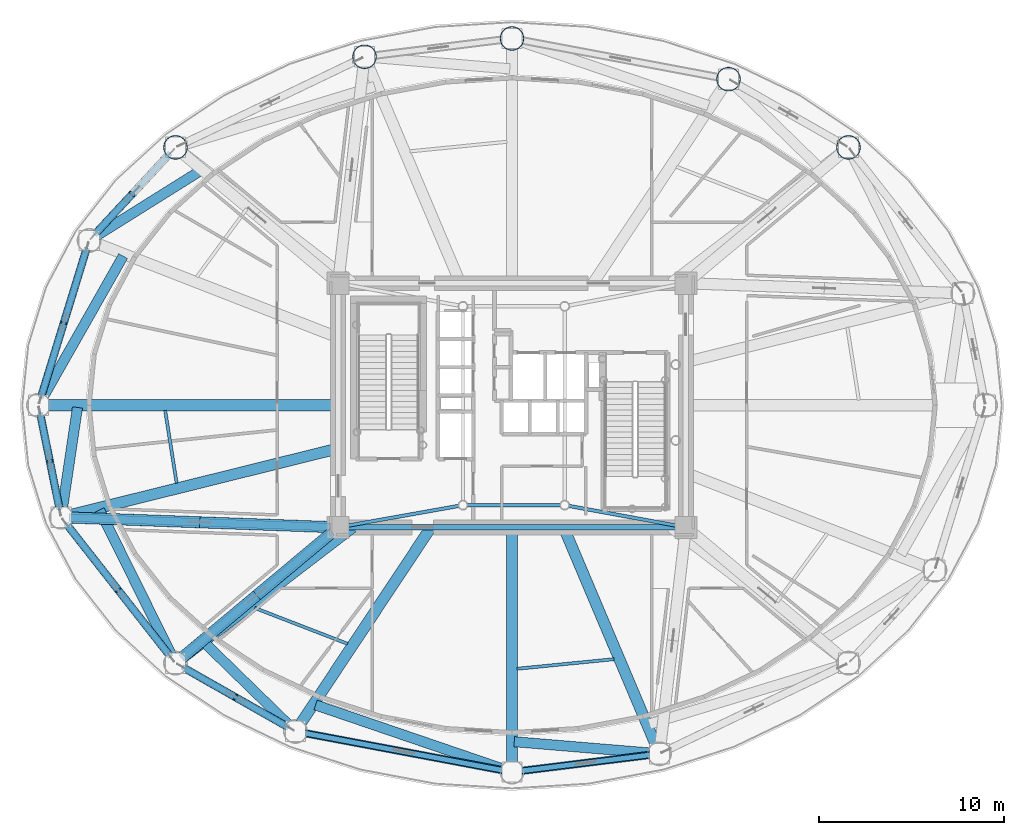
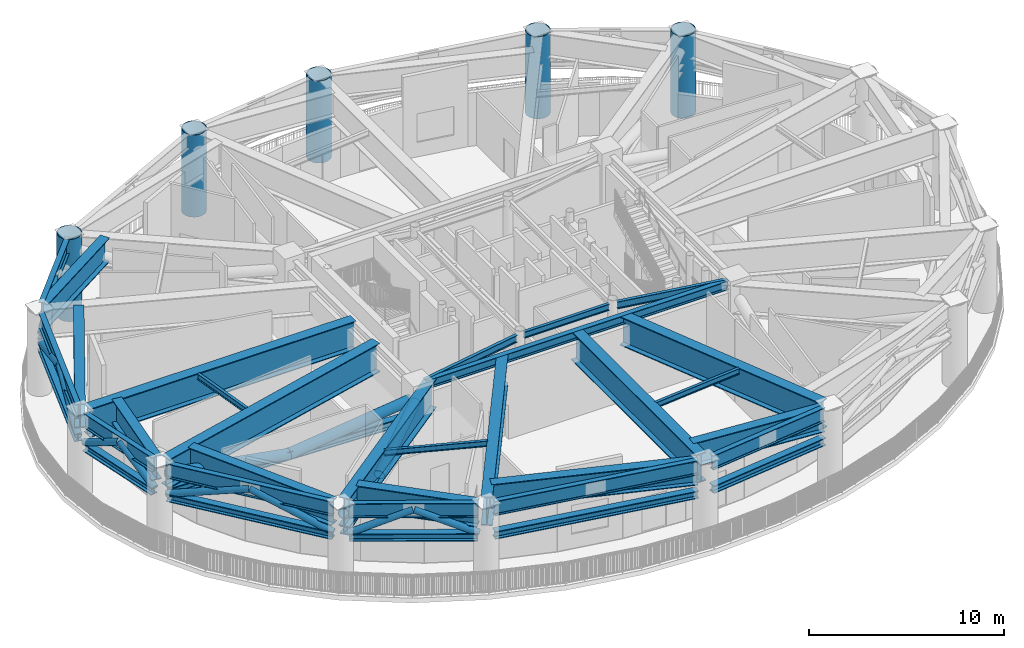
# One storey, part 3 of 20: 36 beams, 13 members, 5 columns.
"""IFC4 building model written with IfcOpenShell, lengths in metres."""

from ifc_helpers import new_model, si_unit, direction, frame, origin, origin_2d, place, context, subcontext, project, spatial, hollow_circle, i_section, extrude, material, material_profile, profile_set, type_object, element, save


model = new_model("IFC4")

# Units and contexts
model_context = context("Model", 3, precision=1e-05, world=origin(), true_north=direction((0.0, 1.0)))
body_context = subcontext(model_context, "Body", "Model", "MODEL_VIEW")
ifc_project = project(units=[si_unit("LENGTHUNIT", "METRE"), si_unit("AREAUNIT", "SQUARE_METRE"), si_unit("VOLUMEUNIT", "CUBIC_METRE"), si_unit("PLANEANGLEUNIT", "RADIAN"), si_unit("MASSUNIT", "GRAM", prefix="KILO")], contexts=[model_context])

# Site, building, storey
site_placement = place(None, origin())
site = spatial("IfcSite", under=ifc_project, at=site_placement, CompositionType="ELEMENT")
building_placement = place(site_placement, origin())
building = spatial("IfcBuilding", under=site, at=building_placement, Name="Linh Dai School and Residence Tower", CompositionType="ELEMENT")
storey_placement = place(building_placement, frame((0.0, 0.0, 204.89990234375)))
storey = spatial("IfcBuildingStorey", under=building, at=storey_placement, Name="L50", CompositionType="ELEMENT", Elevation=204.89990234375)

# Columns
ifc_material = material(Name="Structural Steel S355JR", Category="steel")
ifc_material_profile_1 = material_profile(ifc_material, hollow_circle(Radius=0.64990234375, WallThickness=0.0400390625, at=origin_2d()), Name="CHS 1300x40")
ifc_profile_set_1 = profile_set([ifc_material_profile_1], Name="Structural Steel S355JR")
column_type = type_object("IfcColumnType", Name="COL-MC4", PredefinedType="COLUMN", material=ifc_profile_set_1)
for number, where, z_axis, x_axis, name in (
    (1, (54.1923828125, 40.941650390625, 0.0), (0.0, 0.0, 1.0), (1.0, 0.0, 0.0), "L50 Perimeter CFT Mega-Column MC03"),
    (2, (47.70556640625, 44.630859375, 0.0), (0.0, 0.0, 1.0), (1.0, 0.0, 0.0), "L50 Perimeter CFT Mega-Column MC04"),
    (3, (36.0, 46.830078125, 0.0), (0.0, 0.0, 1.0), (1.0, 0.0, 0.0), "L50 Perimeter CFT Mega-Column MC05"),
    (4, (28.026611328125, 45.84130859375, 0.0), (0.0, 0.0, 1.0), (1.0, 0.0, 0.0), "L50 Perimeter CFT Mega-Column MC06"),
    (5, (17.8076171875, 40.941650390625, 0.0), (0.0, 0.0, 1.0), (1.0, 0.0, 0.0), "L50 Perimeter CFT Mega-Column MC07"),
):
    element("IfcColumn", number, at=place(storey_placement, frame(where, z_axis=z_axis, x_axis=x_axis)), inside=storey, type_object=column_type, Name=name, PredefinedType="COLUMN", context=body_context, shape_type="SweptSolid", body=[
        extrude(hollow_circle(Radius=0.64990234375, WallThickness=0.0400390625, at=origin_2d()), origin(), (0.0, 0.0, 1.0), 5.150146484375),
    ])

# Beams
ifc_material_profile_2 = material_profile(ifc_material, i_section(OverallWidth=0.41796875, OverallDepth=0.506103515625, WebThickness=0.038818359375, FlangeThickness=0.05810546875, FilletRadius=0.014892578125, at=origin_2d()), Name="HD 400x551")
ifc_profile_set_2 = profile_set([ifc_material_profile_2], Name="Structural Steel S355JR")
beam_type_1 = type_object("IfcBeamType", Name="BM-BC1", PredefinedType="BEAM", material=ifc_profile_set_2)
beam_1_placement = place(storey_placement, frame((26.18017578125, 20.415283203125, 3.10009765625), z_axis=(-0.999334691153, 0.036471565062, 0.0), x_axis=(-0.036471565062, -0.999334691153, 0.0)))
element("IfcBeam", 6, at=beam_1_placement, inside=storey, type_object=beam_type_1, Name="L50 Outrigger Truss OT2 Bottom Chord 05", PredefinedType="BEAM", context=body_context, shape_type="SweptSolid", body=[
    extrude(i_section(OverallWidth=0.41796875, OverallDepth=0.506103515625, WebThickness=0.038818359375, FlangeThickness=0.05810546875, FilletRadius=0.014892578125, at=origin_2d()), origin(), (0.0, 0.0, 1.0), 14.14453125),
])
beam_2_placement = place(storey_placement, frame((26.277587890625, 20.130859375, 3.10009765625), z_axis=(-0.767585567981, -0.640946484371, 0.0), x_axis=(0.640946484371, -0.767585567981, 0.0)))
element("IfcBeam", 7, at=beam_2_placement, inside=storey, type_object=beam_type_1, Name="L50 Outrigger Truss OT2 Bottom Chord 06", PredefinedType="BEAM", context=body_context, shape_type="SweptSolid", body=[
    extrude(i_section(OverallWidth=0.41796875, OverallDepth=0.506103515625, WebThickness=0.038818359375, FlangeThickness=0.05810546875, FilletRadius=0.014892578125, at=origin_2d()), origin(), (0.0, 0.0, 1.0), 10.61474609375),
])
ifc_material_profile_3 = material_profile(ifc_material, i_section(OverallWidth=0.408935546875, OverallDepth=0.47509765625, WebThickness=0.02978515625, FlangeThickness=0.048095703125, FilletRadius=0.014892578125, at=origin_2d()), Name="HD 400x421")
ifc_profile_set_3 = profile_set([ifc_material_profile_3], Name="Structural Steel S355JR")
beam_type_2 = type_object("IfcBeamType", Name="BM-BC2", PredefinedType="BEAM", material=ifc_profile_set_3)
beam_3_placement = place(storey_placement, frame((17.521728515625, 40.6337890625, 3.050048828125), z_axis=(-0.680378035197, -0.732861330145, 0.0), x_axis=(0.732861330145, -0.680378035197, 0.0)))
element("IfcBeam", 8, at=beam_3_placement, inside=storey, type_object=beam_type_2, Name="L50 Ring Belt Truss BT3 Bottom Chord 07", PredefinedType="BEAM", context=body_context, shape_type="SweptSolid", body=[
    extrude(i_section(OverallWidth=0.408935546875, OverallDepth=0.47509765625, WebThickness=0.02978515625, FlangeThickness=0.048095703125, FilletRadius=0.014892578125, at=origin_2d()), origin(), (0.0, 0.0, 1.0), 6.024169921875),
])
beam_4_placement = place(storey_placement, frame((13.01416015625, 35.509765625, 3.050048828125), z_axis=(-0.29363681283, -0.955917058196, 0.0), x_axis=(0.955917058196, -0.29363681283, 0.0)))
element("IfcBeam", 9, at=beam_4_placement, inside=storey, type_object=beam_type_2, Name="L50 Ring Belt Truss BT3 Bottom Chord 08", PredefinedType="BEAM", context=body_context, shape_type="SweptSolid", body=[
    extrude(i_section(OverallWidth=0.408935546875, OverallDepth=0.47509765625, WebThickness=0.02978515625, FlangeThickness=0.048095703125, FilletRadius=0.014892578125, at=origin_2d()), origin(), (0.0, 0.0, 1.0), 8.482421875),
])
beam_5_placement = place(storey_placement, frame((10.4833984375, 26.58837890625, 3.050048828125), z_axis=(0.198420723955, -0.980116940117, 0.0), x_axis=(0.980116940117, 0.198420723955, 0.0)))
element("IfcBeam", 10, at=beam_5_placement, inside=storey, type_object=beam_type_2, Name="L50 Ring Belt Truss BT3 Bottom Chord 09", PredefinedType="BEAM", context=body_context, shape_type="SweptSolid", body=[
    extrude(i_section(OverallWidth=0.408935546875, OverallDepth=0.47509765625, WebThickness=0.02978515625, FlangeThickness=0.048095703125, FilletRadius=0.014892578125, at=origin_2d()), origin(), (0.0, 0.0, 1.0), 5.33642578125),
])
beam_6_placement = place(storey_placement, frame((11.884521484375, 20.61572265625, 3.050048828125), z_axis=(0.616852281883, -0.787078942887, 0.0), x_axis=(0.787078942887, 0.616852281883, 0.0)))
element("IfcBeam", 11, at=beam_6_placement, inside=storey, type_object=beam_type_2, Name="L50 Ring Belt Truss BT3 Bottom Chord 10", PredefinedType="BEAM", context=body_context, shape_type="SweptSolid", body=[
    extrude(i_section(OverallWidth=0.408935546875, OverallDepth=0.47509765625, WebThickness=0.02978515625, FlangeThickness=0.048095703125, FilletRadius=0.014892578125, at=origin_2d()), origin(), (0.0, 0.0, 1.0), 9.181884765625),
])
beam_7_placement = place(storey_placement, frame((18.172607421875, 12.8505859375, 3.050048828125), z_axis=(0.869262164011, -0.49435138335, 0.0), x_axis=(0.49435138335, 0.869262164011, 0.0)))
element("IfcBeam", 12, at=beam_7_placement, inside=storey, type_object=beam_type_2, Name="L50 Ring Belt Truss BT3 Bottom Chord 11", PredefinedType="BEAM", context=body_context, shape_type="SweptSolid", body=[
    extrude(i_section(OverallWidth=0.408935546875, OverallDepth=0.47509765625, WebThickness=0.02978515625, FlangeThickness=0.048095703125, FilletRadius=0.014892578125, at=origin_2d()), origin(), (0.0, 0.0, 1.0), 6.62255859375),
])
beam_8_placement = place(storey_placement, frame((24.707275390625, 9.29150390625, 3.050048828125), z_axis=(0.98280721278, -0.184634727255, 0.0), x_axis=(0.184634727255, 0.98280721278, 0.0)))
element("IfcBeam", 13, at=beam_8_placement, inside=storey, type_object=beam_type_2, Name="L50 Ring Belt Truss BT3 Bottom Chord 12", PredefinedType="BEAM", context=body_context, shape_type="SweptSolid", body=[
    extrude(i_section(OverallWidth=0.408935546875, OverallDepth=0.47509765625, WebThickness=0.02978515625, FlangeThickness=0.048095703125, FilletRadius=0.014892578125, at=origin_2d()), origin(), (0.0, 0.0, 1.0), 11.0703125),
])
beam_9_placement = place(storey_placement, frame((36.416748046875, 7.2216796875, 3.050048828125), z_axis=(0.992400597975, 0.123048986741, 0.0), x_axis=(-0.123048986741, 0.992400597975, 0.0)))
element("IfcBeam", 14, at=beam_9_placement, inside=storey, type_object=beam_type_2, Name="L50 Ring Belt Truss BT3 Bottom Chord 13", PredefinedType="BEAM", context=body_context, shape_type="SweptSolid", body=[
    extrude(i_section(OverallWidth=0.408935546875, OverallDepth=0.47509765625, WebThickness=0.02978515625, FlangeThickness=0.048095703125, FilletRadius=0.014892578125, at=origin_2d()), origin(), (0.0, 0.0, 1.0), 7.1943359375),
])
ifc_material_profile_4 = material_profile(ifc_material, i_section(OverallWidth=0.300048828125, OverallDepth=0.550048828125, WebThickness=0.014892578125, FlangeThickness=0.029052734375, FilletRadius=0.027099609375, at=origin_2d()), Name="HEB 550")
ifc_profile_set_4 = profile_set([ifc_material_profile_4], Name="Structural Steel S355JR")
beam_type_3 = type_object("IfcBeamType", Name="BM-RG55", PredefinedType="BEAM", material=ifc_profile_set_4)
beam_10_placement = place(storey_placement, frame((27.02001953125, 20.39990234375, 4.875), z_axis=(1.0, 0.0, 0.0), x_axis=(0.0, 1.0, 0.0)))
element("IfcBeam", 15, at=beam_10_placement, inside=storey, type_object=beam_type_3, Name="L50 Core Perimeter Coupling Girder 1", PredefinedType="BEAM", context=body_context, shape_type="SweptSolid", body=[
    extrude(i_section(OverallWidth=0.300048828125, OverallDepth=0.550048828125, WebThickness=0.014892578125, FlangeThickness=0.029052734375, FilletRadius=0.027099609375, at=origin_2d()), origin(), (0.0, 0.0, 1.0), 17.9599609375),
])
ifc_material_profile_5 = material_profile(ifc_material, i_section(OverallWidth=0.300048828125, OverallDepth=0.89990234375, WebThickness=0.0185546875, FlangeThickness=0.034912109375, FilletRadius=0.030029296875, at=origin_2d()), Name="HEB 900")
ifc_profile_set_5 = profile_set([ifc_material_profile_5], Name="Structural Steel S355JR")
beam_type_4 = type_object("IfcBeamType", Name="BM-RG9", PredefinedType="BEAM", material=ifc_profile_set_5)
beam_11_placement = place(storey_placement, frame((17.521728515625, 40.6337890625, 4.7001953125), z_axis=(-0.680378035197, -0.732861330145, 0.0), x_axis=(0.732861330145, -0.680378035197, 0.0)))
element("IfcBeam", 16, at=beam_11_placement, inside=storey, type_object=beam_type_4, Name="L50 Perimeter Elliptical Ring Beam 07", PredefinedType="BEAM", context=body_context, shape_type="SweptSolid", body=[
    extrude(i_section(OverallWidth=0.300048828125, OverallDepth=0.89990234375, WebThickness=0.0185546875, FlangeThickness=0.034912109375, FilletRadius=0.030029296875, at=origin_2d()), origin(), (0.0, 0.0, 1.0), 6.024169921875),
])
beam_12_placement = place(storey_placement, frame((13.01416015625, 35.509765625, 4.7001953125), z_axis=(-0.29363681283, -0.955917058196, 0.0), x_axis=(0.955917058196, -0.29363681283, 0.0)))
element("IfcBeam", 17, at=beam_12_placement, inside=storey, type_object=beam_type_4, Name="L50 Perimeter Elliptical Ring Beam 08", PredefinedType="BEAM", context=body_context, shape_type="SweptSolid", body=[
    extrude(i_section(OverallWidth=0.300048828125, OverallDepth=0.89990234375, WebThickness=0.0185546875, FlangeThickness=0.034912109375, FilletRadius=0.030029296875, at=origin_2d()), origin(), (0.0, 0.0, 1.0), 8.482421875),
])
beam_13_placement = place(storey_placement, frame((10.4833984375, 26.58837890625, 4.7001953125), z_axis=(0.198420723955, -0.980116940117, 0.0), x_axis=(0.980116940117, 0.198420723955, 0.0)))
element("IfcBeam", 18, at=beam_13_placement, inside=storey, type_object=beam_type_4, Name="L50 Perimeter Elliptical Ring Beam 09", PredefinedType="BEAM", context=body_context, shape_type="SweptSolid", body=[
    extrude(i_section(OverallWidth=0.300048828125, OverallDepth=0.89990234375, WebThickness=0.0185546875, FlangeThickness=0.034912109375, FilletRadius=0.030029296875, at=origin_2d()), origin(), (0.0, 0.0, 1.0), 5.33642578125),
])
beam_14_placement = place(storey_placement, frame((11.884521484375, 20.61572265625, 4.7001953125), z_axis=(0.616852281883, -0.787078942887, 0.0), x_axis=(0.787078942887, 0.616852281883, 0.0)))
element("IfcBeam", 19, at=beam_14_placement, inside=storey, type_object=beam_type_4, Name="L50 Perimeter Elliptical Ring Beam 10", PredefinedType="BEAM", context=body_context, shape_type="SweptSolid", body=[
    extrude(i_section(OverallWidth=0.300048828125, OverallDepth=0.89990234375, WebThickness=0.0185546875, FlangeThickness=0.034912109375, FilletRadius=0.030029296875, at=origin_2d()), origin(), (0.0, 0.0, 1.0), 9.181884765625),
])
beam_15_placement = place(storey_placement, frame((18.172607421875, 12.8505859375, 4.7001953125), z_axis=(0.869262164011, -0.49435138335, 0.0), x_axis=(0.49435138335, 0.869262164011, 0.0)))
element("IfcBeam", 20, at=beam_15_placement, inside=storey, type_object=beam_type_4, Name="L50 Perimeter Elliptical Ring Beam 11", PredefinedType="BEAM", context=body_context, shape_type="SweptSolid", body=[
    extrude(i_section(OverallWidth=0.300048828125, OverallDepth=0.89990234375, WebThickness=0.0185546875, FlangeThickness=0.034912109375, FilletRadius=0.030029296875, at=origin_2d()), origin(), (0.0, 0.0, 1.0), 6.62255859375),
])
beam_16_placement = place(storey_placement, frame((24.707275390625, 9.29150390625, 4.7001953125), z_axis=(0.98280721278, -0.184634727255, 0.0), x_axis=(0.184634727255, 0.98280721278, 0.0)))
element("IfcBeam", 21, at=beam_16_placement, inside=storey, type_object=beam_type_4, Name="L50 Perimeter Elliptical Ring Beam 12", PredefinedType="BEAM", context=body_context, shape_type="SweptSolid", body=[
    extrude(i_section(OverallWidth=0.300048828125, OverallDepth=0.89990234375, WebThickness=0.0185546875, FlangeThickness=0.034912109375, FilletRadius=0.030029296875, at=origin_2d()), origin(), (0.0, 0.0, 1.0), 11.0703125),
])
beam_17_placement = place(storey_placement, frame((36.416748046875, 7.2216796875, 4.7001953125), z_axis=(0.992400597975, 0.123048986741, 0.0), x_axis=(-0.123048986741, 0.992400597975, 0.0)))
element("IfcBeam", 22, at=beam_17_placement, inside=storey, type_object=beam_type_4, Name="L50 Perimeter Elliptical Ring Beam 13", PredefinedType="BEAM", context=body_context, shape_type="SweptSolid", body=[
    extrude(i_section(OverallWidth=0.300048828125, OverallDepth=0.89990234375, WebThickness=0.0185546875, FlangeThickness=0.034912109375, FilletRadius=0.030029296875, at=origin_2d()), origin(), (0.0, 0.0, 1.0), 7.1943359375),
])
ifc_material_profile_6 = material_profile(ifc_material, i_section(OverallWidth=0.169921875, OverallDepth=0.360107421875, WebThickness=0.008056640625, FlangeThickness=0.0126953125, FilletRadius=0.01806640625, at=origin_2d()), Name="IPE 360")
ifc_profile_set_6 = profile_set([ifc_material_profile_6], Name="Structural Steel S355JR")
beam_type_5 = type_object("IfcBeamType", Name="BM-SB36", PredefinedType="BEAM", material=ifc_profile_set_6)
beam_18_placement = place(storey_placement, frame((17.247802734375, 26.723388671875, 4.97021484375), z_axis=(0.15631155546, -0.987707799721, 0.0), x_axis=(0.987707799721, 0.15631155546, 0.0)))
element("IfcBeam", 23, at=beam_18_placement, inside=storey, type_object=beam_type_5, Name="L50 Secondary Circumferential Floor Beam 05", PredefinedType="BEAM", context=body_context, shape_type="SweptSolid", body=[
    extrude(i_section(OverallWidth=0.169921875, OverallDepth=0.360107421875, WebThickness=0.008056640625, FlangeThickness=0.0126953125, FilletRadius=0.01806640625, at=origin_2d()), origin(), (0.0, 0.0, 1.0), 3.987548828125),
])
beam_19_placement = place(storey_placement, frame((22.09228515625, 16.041015625, 4.97021484375), z_axis=(0.93281928987, -0.3603445191, 0.0), x_axis=(0.3603445191, 0.93281928987, 0.0)))
element("IfcBeam", 24, at=beam_19_placement, inside=storey, type_object=beam_type_5, Name="L50 Secondary Circumferential Floor Beam 06", PredefinedType="BEAM", context=body_context, shape_type="SweptSolid", body=[
    extrude(i_section(OverallWidth=0.169921875, OverallDepth=0.360107421875, WebThickness=0.008056640625, FlangeThickness=0.0126953125, FilletRadius=0.01806640625, at=origin_2d()), origin(), (0.0, 0.0, 1.0), 5.378173828125),
])
beam_20_placement = place(storey_placement, frame((36.278564453125, 12.754150390625, 4.97021484375), z_axis=(0.995144026616, 0.098429499092, 0.0), x_axis=(-0.098429499092, 0.995144026616, 0.0)))
element("IfcBeam", 25, at=beam_20_placement, inside=storey, type_object=beam_type_5, Name="L50 Secondary Circumferential Floor Beam 07", PredefinedType="BEAM", context=body_context, shape_type="SweptSolid", body=[
    extrude(i_section(OverallWidth=0.169921875, OverallDepth=0.360107421875, WebThickness=0.008056640625, FlangeThickness=0.0126953125, FilletRadius=0.01806640625, at=origin_2d()), origin(), (0.0, 0.0, 1.0), 5.265869140625),
])
ifc_material_profile_7 = material_profile(ifc_material, i_section(OverallWidth=0.179931640625, OverallDepth=0.39990234375, WebThickness=0.008544921875, FlangeThickness=0.013427734375, FilletRadius=0.02099609375, at=origin_2d()), Name="IPE 400")
ifc_profile_set_7 = profile_set([ifc_material_profile_7], Name="Structural Steel S355JR")
beam_type_6 = type_object("IfcBeamType", Name="BM-SB40", PredefinedType="BEAM", material=ifc_profile_set_7)
beam_21_placement = place(storey_placement, frame((33.573974609375, 21.60009765625, 4.9501953125), z_axis=(1.0, 0.0, 0.0), x_axis=(0.0, 1.0, 0.0)))
element("IfcBeam", 26, at=beam_21_placement, inside=storey, type_object=beam_type_6, Name="L50 Core Mast Pier Tie Beam 1", PredefinedType="BEAM", context=body_context, shape_type="SweptSolid", body=[
    extrude(i_section(OverallWidth=0.179931640625, OverallDepth=0.39990234375, WebThickness=0.008544921875, FlangeThickness=0.013427734375, FilletRadius=0.02099609375, at=origin_2d()), origin(), (0.0, 0.0, 1.0), 5.052001953125),
])
ifc_material_profile_8 = material_profile(ifc_material, i_section(OverallWidth=0.18994140625, OverallDepth=0.449951171875, WebThickness=0.009521484375, FlangeThickness=0.0146484375, FilletRadius=0.02099609375, at=origin_2d()), Name="IPE 450")
ifc_profile_set_8 = profile_set([ifc_material_profile_8], Name="Structural Steel S355JR")
beam_type_7 = type_object("IfcBeamType", Name="BM-SB45", PredefinedType="BEAM", material=ifc_profile_set_8)
beam_22_placement = place(storey_placement, frame((27.013427734375, 20.4736328125, 4.925048828125), z_axis=(0.984565969371, 0.175013862185, 0.0), x_axis=(-0.175013862185, 0.984565969371, 0.0)))
element("IfcBeam", 27, at=beam_22_placement, inside=storey, type_object=beam_type_7, Name="L50 Core Corner-to-Mast Pier Beam 1", PredefinedType="BEAM", context=body_context, shape_type="SweptSolid", body=[
    extrude(i_section(OverallWidth=0.18994140625, OverallDepth=0.449951171875, WebThickness=0.009521484375, FlangeThickness=0.0146484375, FilletRadius=0.02099609375, at=origin_2d()), origin(), (0.0, 0.0, 1.0), 6.2119140625),
])
beam_23_placement = place(storey_placement, frame((44.98681640625, 20.4755859375, 4.925048828125), z_axis=(-0.983627428732, 0.180213987933, 0.0), x_axis=(-0.180213987933, -0.983627428732, 0.0)))
element("IfcBeam", 28, at=beam_23_placement, inside=storey, type_object=beam_type_7, Name="L50 Core Corner-to-Mast Pier Beam 2", PredefinedType="BEAM", context=body_context, shape_type="SweptSolid", body=[
    extrude(i_section(OverallWidth=0.18994140625, OverallDepth=0.449951171875, WebThickness=0.009521484375, FlangeThickness=0.0146484375, FilletRadius=0.02099609375, at=origin_2d()), origin(), (0.0, 0.0, 1.0), 6.014892578125),
])
ifc_material_profile_9 = material_profile(ifc_material, i_section(OverallWidth=0.550048828125, OverallDepth=1.5, WebThickness=0.028076171875, FlangeThickness=0.050048828125, at=origin_2d()), Name="PG 1500x550x28x50")
ifc_profile_set_9 = profile_set([ifc_material_profile_9], Name="Structural Steel S355JR")
beam_type_8 = type_object("IfcBeamType", Name="BM-TG15", PredefinedType="BEAM", material=ifc_profile_set_9)
beam_24_placement = place(storey_placement, frame((19.215087890625, 39.71728515625, 4.400146484375), z_axis=(-0.847518491139, -0.530765868512, 0.0), x_axis=(0.530765868512, -0.847518491139, 0.0)))
element("IfcBeam", 29, at=beam_24_placement, inside=storey, type_object=beam_type_8, Name="L50 Setback Diaphragm Transfer Girder 07", PredefinedType="BEAM", context=body_context, shape_type="SweptSolid", body=[
    extrude(i_section(OverallWidth=0.550048828125, OverallDepth=1.5, WebThickness=0.028076171875, FlangeThickness=0.050048828125, at=origin_2d()), origin(), (0.0, 0.0, 1.0), 6.7509765625),
])
beam_25_placement = place(storey_placement, frame((14.9755859375, 35.064697265625, 4.400146484375), z_axis=(-0.493472463671, -0.86976141993, 0.0), x_axis=(0.86976141993, -0.493472463671, 0.0)))
element("IfcBeam", 30, at=beam_25_placement, inside=storey, type_object=beam_type_8, Name="L50 Setback Diaphragm Transfer Girder 08", PredefinedType="BEAM", context=body_context, shape_type="SweptSolid", body=[
    extrude(i_section(OverallWidth=0.550048828125, OverallDepth=1.5, WebThickness=0.028076171875, FlangeThickness=0.050048828125, at=origin_2d()), origin(), (0.0, 0.0, 1.0), 8.852294921875),
])
beam_26_placement = place(storey_placement, frame((12.50732421875, 26.88134765625, 4.400146484375), z_axis=(-0.146962499756, -0.98914206445, 0.0), x_axis=(0.98914206445, -0.146962499756, 0.0)))
element("IfcBeam", 31, at=beam_26_placement, inside=storey, type_object=beam_type_8, Name="L50 Setback Diaphragm Transfer Girder 09", PredefinedType="BEAM", context=body_context, shape_type="SweptSolid", body=[
    extrude(i_section(OverallWidth=0.550048828125, OverallDepth=1.5, WebThickness=0.028076171875, FlangeThickness=0.050048828125, at=origin_2d()), origin(), (0.0, 0.0, 1.0), 5.580078125),
])
beam_27_placement = place(storey_placement, frame((13.701904296875, 21.34326171875, 4.400146484375), z_axis=(0.444024337353, -0.896014725235, 0.0), x_axis=(0.896014725235, 0.444024337353, 0.0)))
element("IfcBeam", 32, at=beam_27_placement, inside=storey, type_object=beam_type_8, Name="L50 Setback Diaphragm Transfer Girder 10", PredefinedType="BEAM", context=body_context, shape_type="SweptSolid", body=[
    extrude(i_section(OverallWidth=0.550048828125, OverallDepth=1.5, WebThickness=0.028076171875, FlangeThickness=0.050048828125, at=origin_2d()), origin(), (0.0, 0.0, 1.0), 8.826416015625),
])
beam_28_placement = place(storey_placement, frame((19.40283203125, 14.13525390625, 4.400146484375), z_axis=(0.716245697549, -0.697848193193, 0.0), x_axis=(0.697848193193, 0.716245697549, 0.0)))
element("IfcBeam", 33, at=beam_28_placement, inside=storey, type_object=beam_type_8, Name="L50 Setback Diaphragm Transfer Girder 11", PredefinedType="BEAM", context=body_context, shape_type="SweptSolid", body=[
    extrude(i_section(OverallWidth=0.550048828125, OverallDepth=1.5, WebThickness=0.028076171875, FlangeThickness=0.050048828125, at=origin_2d()), origin(), (0.0, 0.0, 1.0), 6.40966796875),
])
beam_29_placement = place(storey_placement, frame((25.37890625, 10.797607421875, 4.400146484375), z_axis=(0.946323052794, -0.323222337953, 0.0), x_axis=(0.323222337953, 0.946323052794, 0.0)))
element("IfcBeam", 34, at=beam_29_placement, inside=storey, type_object=beam_type_8, Name="L50 Setback Diaphragm Transfer Girder 12", PredefinedType="BEAM", context=body_context, shape_type="SweptSolid", body=[
    extrude(i_section(OverallWidth=0.550048828125, OverallDepth=1.5, WebThickness=0.028076171875, FlangeThickness=0.050048828125, at=origin_2d()), origin(), (0.0, 0.0, 1.0), 10.803466796875),
])
beam_30_placement = place(storey_placement, frame((36.11962890625, 8.81005859375, 4.400146484375), z_axis=(0.996577731029, -0.08266090985, 0.0), x_axis=(0.08266090985, 0.996577731029, 0.0)))
element("IfcBeam", 35, at=beam_30_placement, inside=storey, type_object=beam_type_8, Name="L50 Setback Diaphragm Transfer Girder 13", PredefinedType="BEAM", context=body_context, shape_type="SweptSolid", body=[
    extrude(i_section(OverallWidth=0.550048828125, OverallDepth=1.5, WebThickness=0.028076171875, FlangeThickness=0.050048828125, at=origin_2d()), origin(), (0.0, 0.0, 1.0), 7.460693359375),
])
ifc_material_profile_10 = material_profile(ifc_material, i_section(OverallWidth=0.60009765625, OverallDepth=1.800048828125, WebThickness=0.030029296875, FlangeThickness=0.054931640625, at=origin_2d()), Name="PG 1800x600x30x55")
ifc_profile_set_10 = profile_set([ifc_material_profile_10], Name="Structural Steel S355JR")
beam_type_9 = type_object("IfcBeamType", Name="BM-TG18", PredefinedType="BEAM", material=ifc_profile_set_10)
beam_31_placement = place(storey_placement, frame((26.60009765625, 27.0, 4.25), z_axis=(-1.0, 0.0, 0.0), x_axis=(0.0, -1.0, 0.0)))
element("IfcBeam", 36, at=beam_31_placement, inside=storey, type_object=beam_type_9, Name="L50 Radial Setback Transfer Girder 09", PredefinedType="BEAM", context=body_context, shape_type="SweptSolid", body=[
    extrude(i_section(OverallWidth=0.60009765625, OverallDepth=1.800048828125, WebThickness=0.030029296875, FlangeThickness=0.054931640625, at=origin_2d()), origin(), (0.0, 0.0, 1.0), 15.780029296875),
])
beam_32_placement = place(storey_placement, frame((26.60009765625, 24.66552734375, 4.25), z_axis=(-0.970514508209, -0.24104271272, 0.0), x_axis=(0.24104271272, -0.970514508209, 0.0)))
element("IfcBeam", 37, at=beam_32_placement, inside=storey, type_object=beam_type_9, Name="L50 Radial Setback Transfer Girder 10", PredefinedType="BEAM", context=body_context, shape_type="SweptSolid", body=[
    extrude(i_section(OverallWidth=0.60009765625, OverallDepth=1.800048828125, WebThickness=0.030029296875, FlangeThickness=0.054931640625, at=origin_2d()), origin(), (0.0, 0.0, 1.0), 15.009521484375),
])
beam_33_placement = place(storey_placement, frame((27.3876953125, 20.39990234375, 4.25), z_axis=(-0.793732831925, -0.608266546445, 0.0), x_axis=(0.608266546445, -0.793732831925, 0.0)))
element("IfcBeam", 38, at=beam_33_placement, inside=storey, type_object=beam_type_9, Name="L50 Radial Setback Transfer Girder 11", PredefinedType="BEAM", context=body_context, shape_type="SweptSolid", body=[
    extrude(i_section(OverallWidth=0.60009765625, OverallDepth=1.800048828125, WebThickness=0.030029296875, FlangeThickness=0.054931640625, at=origin_2d()), origin(), (0.0, 0.0, 1.0), 11.64990234375),
])
beam_34_placement = place(storey_placement, frame((31.6181640625, 20.39990234375, 4.25), z_axis=(-0.553117176317, -0.833103468522, 0.0), x_axis=(0.833103468522, -0.553117176317, 0.0)))
element("IfcBeam", 39, at=beam_34_placement, inside=storey, type_object=beam_type_9, Name="L50 Radial Setback Transfer Girder 12", PredefinedType="BEAM", context=body_context, shape_type="SweptSolid", body=[
    extrude(i_section(OverallWidth=0.60009765625, OverallDepth=1.800048828125, WebThickness=0.030029296875, FlangeThickness=0.054931640625, at=origin_2d()), origin(), (0.0, 0.0, 1.0), 12.820556640625),
])
beam_35_placement = place(storey_placement, frame((36.0, 20.39990234375, 4.25), z_axis=(0.0, -1.0, 0.0), x_axis=(1.0, 0.0, 0.0)))
element("IfcBeam", 40, at=beam_35_placement, inside=storey, type_object=beam_type_9, Name="L50 Radial Setback Transfer Girder 13", PredefinedType="BEAM", context=body_context, shape_type="SweptSolid", body=[
    extrude(i_section(OverallWidth=0.60009765625, OverallDepth=1.800048828125, WebThickness=0.030029296875, FlangeThickness=0.054931640625, at=origin_2d()), origin(), (0.0, 0.0, 1.0), 12.809814453125),
])
beam_36_placement = place(storey_placement, frame((38.79296875, 20.39990234375, 4.25), z_axis=(0.389721661447, -0.920932693849, 0.0), x_axis=(0.920932693849, 0.389721661447, 0.0)))
element("IfcBeam", 41, at=beam_36_placement, inside=storey, type_object=beam_type_9, Name="L50 Radial Setback Transfer Girder 14", PredefinedType="BEAM", context=body_context, shape_type="SweptSolid", body=[
    extrude(i_section(OverallWidth=0.60009765625, OverallDepth=1.800048828125, WebThickness=0.030029296875, FlangeThickness=0.054931640625, at=origin_2d()), origin(), (0.0, 0.0, 1.0), 12.872314453125),
])

# Members
ifc_material_profile_11 = material_profile(ifc_material, hollow_circle(Radius=0.203125, WallThickness=0.01611328125, at=origin_2d()), Name="CHS 406.4x16")
ifc_profile_set_11 = profile_set([ifc_material_profile_11], Name="Structural Steel S355JR")
member_type_1 = type_object("IfcMemberType", Name="MBR-BT3", PredefinedType="BRACE", material=ifc_profile_set_11)
member_1_placement = place(storey_placement, frame((13.39501953125, 36.188720703125, 3.232177734375), z_axis=(0.61316702203, 0.660511096947, 0.433302773941), x_axis=(-0.732884613974, 0.680352954429, 0.0)))
element("IfcMember", 42, at=member_1_placement, inside=storey, type_object=member_type_1, Name="L50 Ring Belt Truss BT3 Diagonal 07B", PredefinedType="BRACE", context=body_context, shape_type="SweptSolid", body=[
    extrude(hollow_circle(Radius=0.203125, WallThickness=0.01611328125, at=origin_2d()), origin(), (0.0, 0.0, 1.0), 3.387939453125),
])
for number, where, z_axis, x_axis, name in (
    (43, (13.021240234375, 35.53271484375, 3.190185546875), (-0.276807957672, -0.901109725754, 0.333734350526), (0.955915045693, -0.293643364336, 0.0), "L50 Ring Belt Truss BT3 Diagonal 08A"),
    (44, (10.516357421875, 27.37841796875, 3.190185546875), (0.276807957672, 0.901109725754, 0.333734350526), (-0.955915045693, 0.293643364336, 0.0), "L50 Ring Belt Truss BT3 Diagonal 08B"),
):
    element("IfcMember", number, at=place(storey_placement, frame(where, z_axis=z_axis, x_axis=x_axis)), inside=storey, type_object=member_type_1, Name=name, PredefinedType="BRACE", context=body_context, shape_type="SweptSolid", body=[
        extrude(hollow_circle(Radius=0.203125, WallThickness=0.01611328125, at=origin_2d()), origin(), (0.0, 0.0, 1.0), 4.524658203125),
    ])
member_2_placement = place(storey_placement, frame((10.473388671875, 26.636962890625, 3.248046875), z_axis=(0.175015497183, -0.864460882645, 0.471250419758), x_axis=(0.980114982991, 0.198430391112, 0.0)))
element("IfcMember", 45, at=member_2_placement, inside=storey, type_object=member_type_1, Name="L50 Ring Belt Truss BT3 Diagonal 09A", PredefinedType="BRACE", context=body_context, shape_type="SweptSolid", body=[
    extrude(hollow_circle(Radius=0.203125, WallThickness=0.01611328125, at=origin_2d()), origin(), (0.0, 0.0, 1.0), 3.08154296875),
])
member_3_placement = place(storey_placement, frame((11.552001953125, 21.3095703125, 3.248046875), z_axis=(-0.175027484648, 0.864440858991, 0.471282697459), x_axis=(-0.980111445574, -0.198447862811, 0.0)))
element("IfcMember", 46, at=member_3_placement, inside=storey, type_object=member_type_1, Name="L50 Ring Belt Truss BT3 Diagonal 09B", PredefinedType="BRACE", context=body_context, shape_type="SweptSolid", body=[
    extrude(hollow_circle(Radius=0.203125, WallThickness=0.01611328125, at=origin_2d()), origin(), (0.0, 0.0, 1.0), 3.081298828125),
])
member_4_placement = place(storey_placement, frame((11.87158203125, 20.63232421875, 3.181396484375), z_axis=(0.585917786619, -0.747569351364, 0.312794520772), x_axis=(0.787063556187, 0.616871914195, 0.0)))
element("IfcMember", 47, at=member_4_placement, inside=storey, type_object=member_type_1, Name="L50 Ring Belt Truss BT3 Diagonal 10A", PredefinedType="BRACE", context=body_context, shape_type="SweptSolid", body=[
    extrude(hollow_circle(Radius=0.203125, WallThickness=0.01611328125, at=origin_2d()), origin(), (0.0, 0.0, 1.0), 4.85546875),
])
member_5_placement = place(storey_placement, frame((17.5615234375, 13.372314453125, 3.181396484375), z_axis=(-0.585895763581, 0.747591530823, 0.312782763686), x_axis=(-0.787083698999, -0.616846213225, 0.0)))
element("IfcMember", 48, at=member_5_placement, inside=storey, type_object=member_type_1, Name="L50 Ring Belt Truss BT3 Diagonal 10B", PredefinedType="BRACE", context=body_context, shape_type="SweptSolid", body=[
    extrude(hollow_circle(Radius=0.203125, WallThickness=0.01611328125, at=origin_2d()), origin(), (0.0, 0.0, 1.0), 4.855712890625),
])
member_6_placement = place(storey_placement, frame((18.141357421875, 12.868408203125, 3.219970703125), z_axis=(0.794992835956, -0.452127994807, 0.404433761067), x_axis=(0.494362742257, 0.869255704075, 0.0)))
element("IfcMember", 49, at=member_6_placement, inside=storey, type_object=member_type_1, Name="L50 Ring Belt Truss BT3 Diagonal 11A", PredefinedType="BRACE", context=body_context, shape_type="SweptSolid", body=[
    extrude(hollow_circle(Radius=0.203125, WallThickness=0.01611328125, at=origin_2d()), origin(), (0.0, 0.0, 1.0), 3.659912109375),
])
member_7_placement = place(storey_placement, frame((23.96044921875, 9.55908203125, 3.219970703125), z_axis=(-0.794992264934, 0.452098899006, 0.404467408097), x_axis=(-0.49433897136, -0.86926922262, 0.0)))
element("IfcMember", 50, at=member_7_placement, inside=storey, type_object=member_type_1, Name="L50 Ring Belt Truss BT3 Diagonal 11B", PredefinedType="BRACE", context=body_context, shape_type="SweptSolid", body=[
    extrude(hollow_circle(Radius=0.203125, WallThickness=0.01611328125, at=origin_2d()), origin(), (0.0, 0.0, 1.0), 3.65966796875),
])
ifc_material_profile_12 = material_profile(ifc_material, hollow_circle(Radius=0.304931640625, WallThickness=0.02490234375, at=origin_2d()), Name="CHS 610x25")
ifc_profile_set_12 = profile_set([ifc_material_profile_12], Name="Structural Steel S355JR")
member_type_2 = type_object("IfcMemberType", Name="MBR-OT2", PredefinedType="BRACE", material=ifc_profile_set_12)
for number, where, z_axis, x_axis, name in (
    (51, (26.18505859375, 20.4150390625, 4.186279296875), (-0.987768514265, 0.036042230032, -0.151704712785), (-0.03646427264, -0.99933495727, 0.0), "L50 Outrigger Truss OT2 Web Diagonal 05A"),
    (52, (12.04052734375, 20.931396484375, 4.186279296875), (0.987767299735, -0.036076284283, -0.151704526254), (0.036498724598, 0.999333699573, 0.0), "L50 Outrigger Truss OT2 Web Diagonal 05B"),
):
    element("IfcMember", number, at=place(storey_placement, frame(where, z_axis=z_axis, x_axis=x_axis)), inside=storey, type_object=member_type_2, Name=name, PredefinedType="BRACE", context=body_context, shape_type="SweptSolid", body=[
        extrude(hollow_circle(Radius=0.304931640625, WallThickness=0.02490234375, at=origin_2d()), origin(), (0.0, 0.0, 1.0), 7.159912109375),
    ])
member_8_placement = place(storey_placement, frame((26.283935546875, 20.135986328125, 4.16748046875), z_axis=(-0.75257946391, -0.628380435579, -0.196881128304), x_axis=(0.640925026106, -0.767603485473, 0.0)))
element("IfcMember", 53, at=member_8_placement, inside=storey, type_object=member_type_2, Name="L50 Outrigger Truss OT2 Web Diagonal 06A", PredefinedType="BRACE", context=body_context, shape_type="SweptSolid", body=[
    extrude(hollow_circle(Radius=0.304931640625, WallThickness=0.02490234375, at=origin_2d()), origin(), (0.0, 0.0, 1.0), 5.42138671875),
])
member_9_placement = place(storey_placement, frame((18.12353515625, 13.322265625, 4.16748046875), z_axis=(0.752577694988, 0.62838638985, -0.196868885448), x_axis=(-0.64092949211, 0.767599756477, 0.0)))
element("IfcMember", 54, at=member_9_placement, inside=storey, type_object=member_type_2, Name="L50 Outrigger Truss OT2 Web Diagonal 06B", PredefinedType="BRACE", context=body_context, shape_type="SweptSolid", body=[
    extrude(hollow_circle(Radius=0.304931640625, WallThickness=0.02490234375, at=origin_2d()), origin(), (0.0, 0.0, 1.0), 5.421875),
])

save(model, "model.ifc")
